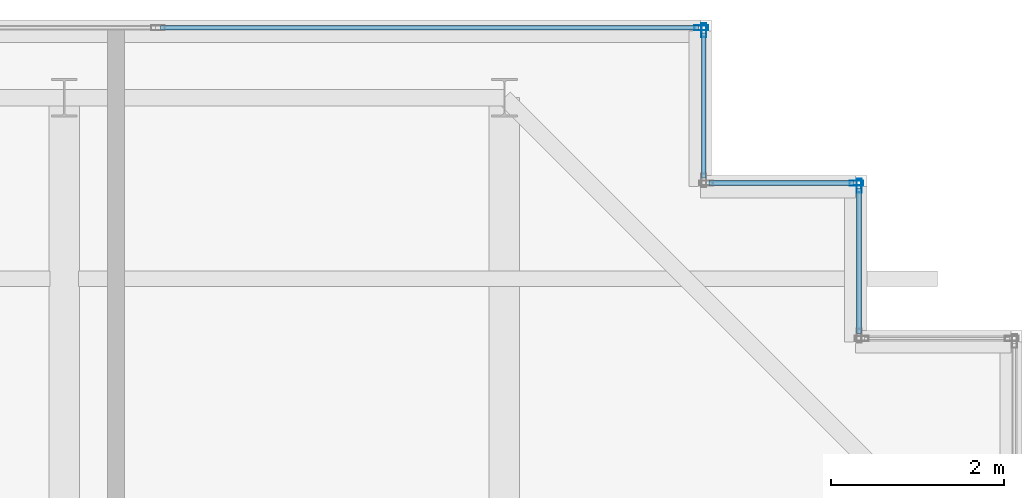
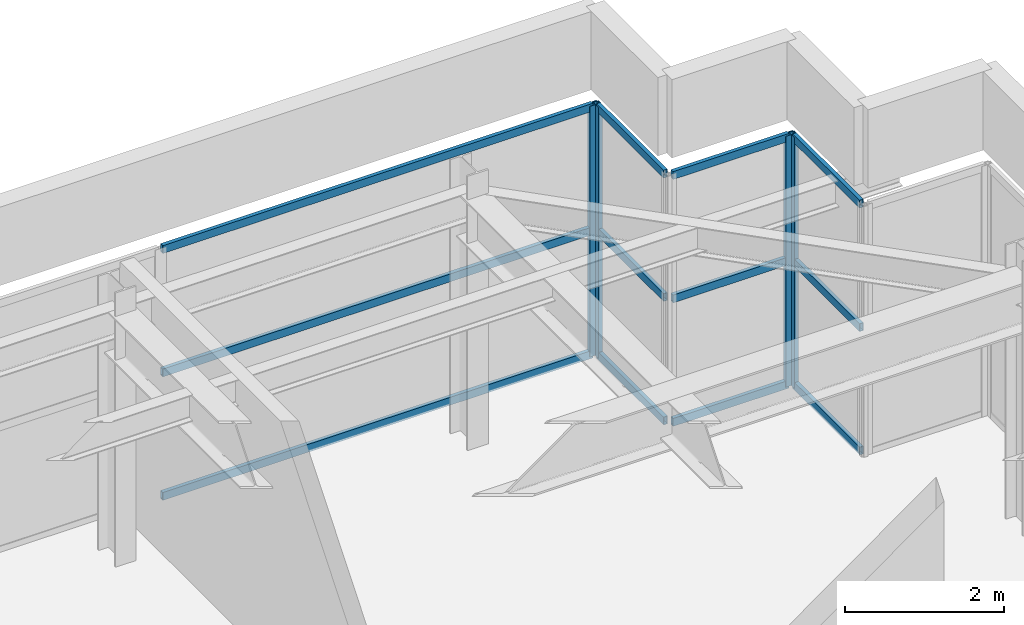
# One storey, part 28 of 33: 16 members, 4 elements without a shape of their own.
"""IFC4 building model written with IfcOpenShell, lengths in metres."""

import ifcopenshell
import ifcopenshell.guid

model = None  # the IFC model being written
_history = None  # IfcOwnerHistory: only IFC2X3 demands one
_inside = {}  # id of a spatial element -> (the spatial element, [elements in it])
_under = {}  # id of a project, library or spatial element -> (it, [spatial elements below it])
_declared = {}  # id of a project -> (the project, [libraries it declares])
_typed = {}  # id of a type object -> (the type object, [elements of that type])
_made_of = {}  # id of a material, layer set ... -> (it, [elements and type objects made of it])


def new_model(schema):
    """Start an empty IFC model of exactly this schema.

    Asked for "IFC4X3", IfcOpenShell would pick the latest addendum, in which some entities
    have other attributes; the version numbers below select the first issue.
    IFC2X3 requires an IfcOwnerHistory on every rooted entity: one is made here for all.
    """
    global model, _history
    if schema == "IFC4X3":
        model = ifcopenshell.file(schema_version=(4, 3, 0, 0))
    else:
        model = ifcopenshell.file(schema=schema)
    _inside.clear()
    _under.clear()
    _declared.clear()
    _typed.clear()
    _made_of.clear()
    _history = None
    if model.schema == "IFC2X3":
        org = make("IfcOrganization", Name="unknown")
        user = make(
            "IfcPersonAndOrganization",
            ThePerson=make("IfcPerson", FamilyName="unknown"),
            TheOrganization=org,
        )
        app = make(
            "IfcApplication",
            ApplicationDeveloper=org,
            Version="unknown",
            ApplicationFullName="unknown",
            ApplicationIdentifier="unknown",
        )
        _history = make(
            "IfcOwnerHistory",
            OwningUser=user,
            OwningApplication=app,
            ChangeAction="ADDED",
            CreationDate=0,
        )
    return model


def make(cls, **values):
    """One entity of the class cls with the attributes given. An attribute that is None is left unset."""
    return model.create_entity(
        cls, **{name: value for name, value in values.items() if value is not None}
    )


def rooted(cls, **values):
    """An entity with a GlobalId (a new one), such as an element, a storey or a relation."""
    return make(cls, GlobalId=ifcopenshell.guid.new(), OwnerHistory=_history, **values)


def si_unit(unit_type, name, prefix=None):
    """IfcSIUnit, for example si_unit("LENGTHUNIT", "METRE", prefix="MILLI")."""
    return make("IfcSIUnit", UnitType=unit_type, Prefix=prefix, Name=name)


def assignment(units):
    """IfcUnitAssignment: the units of a project."""
    return None if units is None else make("IfcUnitAssignment", Units=units)


def point(xyz):
    """IfcCartesianPoint."""
    return None if xyz is None else make("IfcCartesianPoint", Coordinates=xyz)


def direction(xyz):
    """IfcDirection."""
    return None if xyz is None else make("IfcDirection", DirectionRatios=xyz)


def frame(location, z_axis=None, x_axis=None):
    """IfcAxis2Placement3D, a coordinate frame: its origin and axes. An axis left out is left unset."""
    return make(
        "IfcAxis2Placement3D",
        Location=point(location),
        Axis=direction(z_axis),
        RefDirection=direction(x_axis),
    )


def frame_2d(location, x_axis=None):
    """IfcAxis2Placement2D, a coordinate frame in the plane: its origin and x axis."""
    return make(
        "IfcAxis2Placement2D", Location=point(location), RefDirection=direction(x_axis)
    )


def origin():
    """The frame at (0, 0, 0) with its axes left unset."""
    return frame((0.0, 0.0, 0.0))


def origin_2d():
    """The frame at (0, 0) in the plane with its x axis left unset."""
    return frame_2d((0.0, 0.0))


def place(relative_to, where):
    """IfcLocalPlacement: puts the frame where relative to a parent placement (None: the world)."""
    return make(
        "IfcLocalPlacement", PlacementRelTo=relative_to, RelativePlacement=where
    )


def context(
    kind, dimensions, precision=None, world=None, true_north=None, identifier=None
):
    """IfcGeometricRepresentationContext, for example the 3D "Model" context."""
    return make(
        "IfcGeometricRepresentationContext",
        ContextIdentifier=identifier,
        ContextType=kind,
        CoordinateSpaceDimension=dimensions,
        Precision=precision,
        WorldCoordinateSystem=world,
        TrueNorth=true_north,
    )


def subcontext(parent, identifier, kind, view, scale=None):
    """IfcGeometricRepresentationSubContext, for example "Body" below "Model"."""
    return make(
        "IfcGeometricRepresentationSubContext",
        ContextIdentifier=identifier,
        ContextType=kind,
        ParentContext=parent,
        TargetScale=scale,
        TargetView=view,
    )


def project(units=None, contexts=None):
    """IfcProject with its units and contexts."""
    return rooted(
        "IfcProject",
        Name="project",
        RepresentationContexts=contexts,
        UnitsInContext=assignment(units),
    )


def spatial(cls, under=None, at=None, **own):
    """A site, building, storey or space (cls), placed at a placement, below another one or the project."""
    s = rooted(cls, ObjectPlacement=at, **own)
    if under is not None:
        _under.setdefault(under.id(), (under, []))[1].append(s)
    return s


def profile(cls, at=None, kind="AREA", **sizes):
    """A parametric profile (cls). Its sizes go by their IFC names, for example OverallWidth=200.0."""
    return make(cls, ProfileType=kind, Position=at, **sizes)


def hollow_rectangle(**sizes):
    """IfcRectangleHollowProfileDef."""
    return profile("IfcRectangleHollowProfileDef", **sizes)


def extrude(swept, where, along, depth):
    """IfcExtrudedAreaSolid: the profile swept, set in the frame where, extruded along a direction by depth."""
    return make(
        "IfcExtrudedAreaSolid",
        SweptArea=swept,
        Position=where,
        ExtrudedDirection=direction(along),
        Depth=depth,
    )


def shape(context_of_items, identifier, shape_type, items):
    """IfcShapeRepresentation: the items that make up one representation, for example the "Body"."""
    return make(
        "IfcShapeRepresentation",
        ContextOfItems=context_of_items,
        RepresentationIdentifier=identifier,
        RepresentationType=shape_type,
        Items=items,
    )


def source(mapping_origin, context_of_items, identifier, shape_type, items):
    """IfcRepresentationMap: a shape defined once, which mapped items show again and again."""
    return make(
        "IfcRepresentationMap",
        MappingOrigin=mapping_origin,
        MappedRepresentation=shape(context_of_items, identifier, shape_type, items),
    )


def transform(
    local_origin,
    x_axis=None,
    y_axis=None,
    z_axis=None,
    scale=None,
    scale2=None,
    scale3=None,
    uniform=True,
):
    """IfcCartesianTransformationOperator3D, or its non-uniform kind. x_axis, y_axis, z_axis: its Axis1, 2, 3."""
    if uniform:
        return make(
            "IfcCartesianTransformationOperator3D",
            Axis1=direction(x_axis),
            Axis2=direction(y_axis),
            LocalOrigin=point(local_origin),
            Scale=scale,
            Axis3=direction(z_axis),
        )
    return make(
        "IfcCartesianTransformationOperator3DnonUniform",
        Axis1=direction(x_axis),
        Axis2=direction(y_axis),
        LocalOrigin=point(local_origin),
        Scale=scale,
        Axis3=direction(z_axis),
        Scale2=scale2,
        Scale3=scale3,
    )


def mapped(mapping_source, mapping_target):
    """IfcMappedItem: shows the shape of a source again, moved by a transform."""
    return make(
        "IfcMappedItem", MappingSource=mapping_source, MappingTarget=mapping_target
    )


def material(Name=None, Category=None):
    """IfcMaterial."""
    return make("IfcMaterial", Name=Name, Category=Category)


def layer(
    of_material, thickness, ventilated=None, Name=None, Category=None, Priority=None
):
    """IfcMaterialLayer: one layer of a wall or slab, of a material (None: an air gap)."""
    return make(
        "IfcMaterialLayer",
        Material=of_material,
        LayerThickness=thickness,
        IsVentilated=ventilated,
        Name=Name,
        Category=Category,
        Priority=Priority,
    )


def layer_set(layers, Name=None):
    """IfcMaterialLayerSet."""
    return make("IfcMaterialLayerSet", MaterialLayers=layers, LayerSetName=Name)


def material_profile(
    of_material, cross_section, Name=None, Category=None, Priority=None
):
    """IfcMaterialProfile: a cross section and its material."""
    return make(
        "IfcMaterialProfile",
        Name=Name,
        Material=of_material,
        Profile=cross_section,
        Priority=Priority,
        Category=Category,
    )


def profile_set(profiles, Name=None, composite=None):
    """IfcMaterialProfileSet."""
    return make(
        "IfcMaterialProfileSet",
        Name=Name,
        MaterialProfiles=profiles,
        CompositeProfile=composite,
    )


def made_of(thing, what):
    """Note that an element or type object is made of a material, layer set ...; save() writes the relation."""
    if what is not None:
        _made_of.setdefault(what.id(), (what, []))[1].append(thing)
    return thing


def type_object(cls, material=None, **own):
    """A type object (cls), such as IfcWallType, which elements share."""
    return made_of(rooted(cls, **own), material)


def element(
    cls,
    number,
    at=None,
    inside=None,
    cuts=None,
    type_object=None,
    material=None,
    context=None,
    identifier="Body",
    shape_type=None,
    held_by="IfcProductDefinitionShape",
    body=None,
    shapes=None,
    **own,
):
    """One element of the class cls, such as IfcWall. Its Tag is "e" and its number.

    at: its placement. inside: the storey or other place that contains it. cuts: it is an
    opening in that element (IfcRelVoidsElement). A single representation is given by context,
    identifier, shape_type and body (its items); several are given by shapes. held_by: the class
    of the entity that holds the representations. save() writes the other relations.
    """
    e = rooted(cls, Tag="e%d" % number, ObjectPlacement=at, **own)
    if body is not None:
        shapes = [shape(context, identifier, shape_type, body)]
    if shapes is not None:
        e.Representation = make(held_by, Representations=shapes)
    if inside is not None:
        _inside.setdefault(inside.id(), (inside, []))[1].append(e)
    if cuts is not None:
        rooted(
            "IfcRelVoidsElement", RelatingBuildingElement=cuts, RelatedOpeningElement=e
        )
    if type_object is not None:
        _typed.setdefault(type_object.id(), (type_object, []))[1].append(e)
    return made_of(e, material)


def aggregate(whole, parts):
    """IfcRelAggregates: a whole, such as a stair, and the parts it consists of."""
    return rooted("IfcRelAggregates", RelatingObject=whole, RelatedObjects=parts)


def save(model, path):
    """Write the relations noted so far, then the file.

    IfcRelAggregates (storeys below a building ...), IfcRelContainedInSpatialStructure (elements
    in a storey), IfcRelDefinesByType, IfcRelAssociatesMaterial and IfcRelDeclares: one each for
    every whole, place, type object, material and project.
    """
    for whole, parts in _under.values():
        aggregate(whole, parts)
    for where, things in _inside.values():
        rooted(
            "IfcRelContainedInSpatialStructure",
            RelatedElements=things,
            RelatingStructure=where,
        )
    for kind, things in _typed.values():
        rooted("IfcRelDefinesByType", RelatedObjects=things, RelatingType=kind)
    for what, things in _made_of.values():
        rooted("IfcRelAssociatesMaterial", RelatedObjects=things, RelatingMaterial=what)
    for by, libraries in _declared.values():
        rooted("IfcRelDeclares", RelatingContext=by, RelatedDefinitions=libraries)
    model.write(path)


model = new_model("IFC4")

# Units and contexts
model_context = context("Model", 3, precision=1e-05, world=origin(), true_north=direction((0.0, 1.0)))
body_context = subcontext(model_context, "Body", "Model", "MODEL_VIEW")
ifc_project = project(units=[si_unit("LENGTHUNIT", "METRE"), si_unit("AREAUNIT", "SQUARE_METRE"), si_unit("VOLUMEUNIT", "CUBIC_METRE"), si_unit("PLANEANGLEUNIT", "RADIAN"), si_unit("MASSUNIT", "GRAM", prefix="KILO")], contexts=[model_context])

# Site, building, storey
site_placement = place(None, origin())
site = spatial("IfcSite", under=ifc_project, at=site_placement, CompositionType="ELEMENT")
building_placement = place(site_placement, origin())
building = spatial("IfcBuilding", under=site, at=building_placement, Name="Khoralis Quay Care Tower", CompositionType="ELEMENT")
storey_placement = place(building_placement, frame((0.0, 0.0, 314.699951171875)))
storey = spatial("IfcBuildingStorey", under=building, at=storey_placement, Name="L82", CompositionType="ELEMENT", Elevation=314.699951171875)

# Curtain wall, members
ifc_material = material(Name="Pale anodised aluminium", Category="aluminium")
ifc_layer = layer(ifc_material, 0.199951171875)
ifc_layer_set = layer_set([ifc_layer], Name="Pale anodised aluminium")
curtain_wall_type = type_object("IfcCurtainWallType", Name="CW-SYS-LANTERN", PredefinedType="NOTDEFINED", material=ifc_layer_set)
curtain_wall_1_placement = place(storey_placement, origin())
curtain_wall_1 = element("IfcCurtainWall", 1, at=curtain_wall_1_placement, inside=storey, type_object=curtain_wall_type, Name="L82 Unitised Curtain Wall CW-LN-L82-11", PredefinedType="NOTDEFINED")
ifc_material_profile_1 = material_profile(ifc_material, hollow_rectangle(XDim=0.054931640625, YDim=0.1201171875, WallThickness=0.00390625, at=origin_2d()), Name="Pale anodised aluminium")
ifc_profile_set_1 = profile_set([ifc_material_profile_1], Name="Pale anodised aluminium")
member_type_1 = type_object("IfcMemberType", Name="CW-TRN-120", PredefinedType="USERDEFINED", material=ifc_profile_set_1)
shared_shape_1 = source(origin(), body_context, "Body", "SweptSolid", [
    extrude(hollow_rectangle(XDim=0.054931640625, YDim=0.1201171875, WallThickness=0.00390625, at=origin_2d()), origin(), (0.0, 0.0, 1.0), 6.23388671875),
])
member_1_placement = place(storey_placement, frame((38.25, 41.909912109375, 0.030029296875), z_axis=(-1.0, 0.0, 0.0), x_axis=(0.0, -1.0, 0.0)))
member_1 = element("IfcMember", 2, at=member_1_placement, type_object=member_type_1, Name="CW5 transom 1.1", ObjectType="TRANSOM", PredefinedType="USERDEFINED", context=body_context, shape_type="MappedRepresentation", body=[
    mapped(shared_shape_1, transform((0.0, 0.0, 0.0), scale=1.0)),
])
member_2_placement = place(storey_placement, frame((38.25, 41.909912109375, 1.920166015625), z_axis=(-1.0, 0.0, 0.0), x_axis=(0.0, -1.0, 0.0)))
member_2 = element("IfcMember", 3, at=member_2_placement, type_object=member_type_1, Name="CW5 transom 1.2", ObjectType="TRANSOM", PredefinedType="USERDEFINED", context=body_context, shape_type="MappedRepresentation", body=[
    mapped(shared_shape_1, transform((0.0, 0.0, 0.0), scale=1.0)),
])
member_3_placement = place(storey_placement, frame((38.25, 41.909912109375, 3.81005859375), z_axis=(-1.0, 0.0, 0.0), x_axis=(0.0, -1.0, 0.0)))
member_3 = element("IfcMember", 4, at=member_3_placement, type_object=member_type_1, Name="CW5 transom 1.3", ObjectType="TRANSOM", PredefinedType="USERDEFINED", context=body_context, shape_type="MappedRepresentation", body=[
    mapped(shared_shape_1, transform((0.0, 0.0, 0.0), scale=1.0)),
])

curtain_wall_2_placement = place(storey_placement, origin())
curtain_wall_2 = element("IfcCurtainWall", 5, at=curtain_wall_2_placement, inside=storey, type_object=curtain_wall_type, Name="L82 Unitised Curtain Wall CW-LN-L82-10", PredefinedType="NOTDEFINED")
shared_shape_2 = source(origin(), body_context, "Body", "SweptSolid", [
    extrude(hollow_rectangle(XDim=0.054931640625, YDim=0.1201171875, WallThickness=0.00390625, at=origin_2d()), origin(), (0.0, 0.0, 1.0), 1.68017578125),
])
member_4_placement = place(storey_placement, frame((38.31005859375, 40.169921875, 0.030029296875), z_axis=(0.0, 1.0, 0.0), x_axis=(-1.0, 0.0, 0.0)))
member_4 = element("IfcMember", 6, at=member_4_placement, type_object=member_type_1, Name="CW5 transom 1.1", ObjectType="TRANSOM", PredefinedType="USERDEFINED", context=body_context, shape_type="MappedRepresentation", body=[
    mapped(shared_shape_2, transform((0.0, 0.0, 0.0), scale=1.0)),
])
member_5_placement = place(storey_placement, frame((38.31005859375, 40.169921875, 1.920166015625), z_axis=(0.0, 1.0, 0.0), x_axis=(-1.0, 0.0, 0.0)))
member_5 = element("IfcMember", 7, at=member_5_placement, type_object=member_type_1, Name="CW5 transom 1.2", ObjectType="TRANSOM", PredefinedType="USERDEFINED", context=body_context, shape_type="MappedRepresentation", body=[
    mapped(shared_shape_2, transform((0.0, 0.0, 0.0), scale=1.0)),
])
member_6_placement = place(storey_placement, frame((38.31005859375, 40.169921875, 3.81005859375), z_axis=(0.0, 1.0, 0.0), x_axis=(-1.0, 0.0, 0.0)))
member_6 = element("IfcMember", 8, at=member_6_placement, type_object=member_type_1, Name="CW5 transom 1.3", ObjectType="TRANSOM", PredefinedType="USERDEFINED", context=body_context, shape_type="MappedRepresentation", body=[
    mapped(shared_shape_2, transform((0.0, 0.0, 0.0), scale=1.0)),
])

curtain_wall_3_placement = place(storey_placement, origin())
curtain_wall_3 = element("IfcCurtainWall", 9, at=curtain_wall_3_placement, inside=storey, type_object=curtain_wall_type, Name="L82 Unitised Curtain Wall CW-LN-L82-08", PredefinedType="NOTDEFINED")
shared_shape_3 = source(origin(), body_context, "Body", "SweptSolid", [
    extrude(hollow_rectangle(XDim=0.054931640625, YDim=0.1201171875, WallThickness=0.00390625, at=origin_2d()), origin(), (0.0, 0.0, 1.0), 1.679931640625),
])
member_7_placement = place(storey_placement, frame((40.110107421875, 38.3701171875, 0.030029296875), z_axis=(0.0, 1.0, 0.0), x_axis=(-1.0, 0.0, 0.0)))
member_7 = element("IfcMember", 10, at=member_7_placement, type_object=member_type_1, Name="CW5 transom 1.1", ObjectType="TRANSOM", PredefinedType="USERDEFINED", context=body_context, shape_type="MappedRepresentation", body=[
    mapped(shared_shape_3, transform((0.0, 0.0, 0.0), scale=1.0)),
])
member_8_placement = place(storey_placement, frame((40.110107421875, 38.3701171875, 1.920166015625), z_axis=(0.0, 1.0, 0.0), x_axis=(-1.0, 0.0, 0.0)))
member_8 = element("IfcMember", 11, at=member_8_placement, type_object=member_type_1, Name="CW5 transom 1.2", ObjectType="TRANSOM", PredefinedType="USERDEFINED", context=body_context, shape_type="MappedRepresentation", body=[
    mapped(shared_shape_3, transform((0.0, 0.0, 0.0), scale=1.0)),
])
member_9_placement = place(storey_placement, frame((40.110107421875, 38.3701171875, 3.81005859375), z_axis=(0.0, 1.0, 0.0), x_axis=(-1.0, 0.0, 0.0)))
member_9 = element("IfcMember", 12, at=member_9_placement, type_object=member_type_1, Name="CW5 transom 1.3", ObjectType="TRANSOM", PredefinedType="USERDEFINED", context=body_context, shape_type="MappedRepresentation", body=[
    mapped(shared_shape_3, transform((0.0, 0.0, 0.0), scale=1.0)),
])

curtain_wall_4_placement = place(storey_placement, origin())
curtain_wall_4 = element("IfcCurtainWall", 13, at=curtain_wall_4_placement, inside=storey, type_object=curtain_wall_type, Name="L82 Unitised Curtain Wall CW-LN-L82-09", PredefinedType="NOTDEFINED")
member_10_placement = place(storey_placement, frame((40.050048828125, 40.110107421875, 0.030029296875), z_axis=(-1.0, 0.0, 0.0), x_axis=(0.0, -1.0, 0.0)))
member_10 = element("IfcMember", 14, at=member_10_placement, type_object=member_type_1, Name="CW5 transom 1.1", ObjectType="TRANSOM", PredefinedType="USERDEFINED", context=body_context, shape_type="MappedRepresentation", body=[
    mapped(shared_shape_3, transform((0.0, 0.0, 0.0), scale=1.0)),
])
member_11_placement = place(storey_placement, frame((40.050048828125, 40.110107421875, 1.920166015625), z_axis=(-1.0, 0.0, 0.0), x_axis=(0.0, -1.0, 0.0)))
member_11 = element("IfcMember", 15, at=member_11_placement, type_object=member_type_1, Name="CW5 transom 1.2", ObjectType="TRANSOM", PredefinedType="USERDEFINED", context=body_context, shape_type="MappedRepresentation", body=[
    mapped(shared_shape_3, transform((0.0, 0.0, 0.0), scale=1.0)),
])
member_12_placement = place(storey_placement, frame((40.050048828125, 40.110107421875, 3.81005859375), z_axis=(-1.0, 0.0, 0.0), x_axis=(0.0, -1.0, 0.0)))
member_12 = element("IfcMember", 16, at=member_12_placement, type_object=member_type_1, Name="CW5 transom 1.3", ObjectType="TRANSOM", PredefinedType="USERDEFINED", context=body_context, shape_type="MappedRepresentation", body=[
    mapped(shared_shape_3, transform((0.0, 0.0, 0.0), scale=1.0)),
])

# Member
ifc_material_profile_2 = material_profile(ifc_material, hollow_rectangle(XDim=0.06005859375, YDim=0.159912109375, WallThickness=0.00390625, at=origin_2d()), Name="Pale anodised aluminium")
ifc_profile_set_2 = profile_set([ifc_material_profile_2], Name="Pale anodised aluminium")
member_type_2 = type_object("IfcMemberType", Name="CW-MUL-160", PredefinedType="MULLION", material=ifc_profile_set_2)
shared_shape_4 = source(origin(), body_context, "Body", "SweptSolid", [
    extrude(hollow_rectangle(XDim=0.06005859375, YDim=0.159912109375, WallThickness=0.00390625, at=origin_2d()), origin(), (0.0, 0.0, 1.0), 3.840087890625),
])
member_13_placement = place(storey_placement, frame((40.110107421875, 40.080078125, 0.0), z_axis=(0.0, 0.0, 1.0), x_axis=(-1.0, 0.0, 0.0)))
member_13 = element("IfcMember", 17, at=member_13_placement, type_object=member_type_2, Name="CW5 mullion 2", PredefinedType="MULLION", context=body_context, shape_type="MappedRepresentation", body=[
    mapped(shared_shape_4, transform((0.0, 0.0, 0.0), scale=1.0)),
])

aggregate(curtain_wall_3, [member_13, member_7, member_8, member_9])

member_14_placement = place(storey_placement, frame((40.080078125, 40.110107421875, 0.0), z_axis=(0.0, 0.0, 1.0), x_axis=(0.0, -1.0, 0.0)))
member_14 = element("IfcMember", 18, at=member_14_placement, type_object=member_type_2, Name="CW5 mullion 1", PredefinedType="MULLION", context=body_context, shape_type="MappedRepresentation", body=[
    mapped(shared_shape_4, transform((0.0, 0.0, 0.0), scale=1.0)),
])

aggregate(curtain_wall_4, [member_14, member_10, member_11, member_12])

member_15_placement = place(storey_placement, frame((38.31005859375, 41.8798828125, 0.0), z_axis=(0.0, 0.0, 1.0), x_axis=(-1.0, 0.0, 0.0)))
member_15 = element("IfcMember", 19, at=member_15_placement, type_object=member_type_2, Name="CW5 mullion 2", PredefinedType="MULLION", context=body_context, shape_type="MappedRepresentation", body=[
    mapped(shared_shape_4, transform((0.0, 0.0, 0.0), scale=1.0)),
])

aggregate(curtain_wall_2, [member_15, member_4, member_5, member_6])

member_16_placement = place(storey_placement, frame((38.280029296875, 41.909912109375, 0.0), z_axis=(0.0, 0.0, 1.0), x_axis=(0.0, -1.0, 0.0)))
member_16 = element("IfcMember", 20, at=member_16_placement, type_object=member_type_2, Name="CW5 mullion 1", PredefinedType="MULLION", context=body_context, shape_type="MappedRepresentation", body=[
    mapped(shared_shape_4, transform((0.0, 0.0, 0.0), scale=1.0)),
])

aggregate(curtain_wall_1, [member_16, member_1, member_2, member_3])

save(model, "model.ifc")
